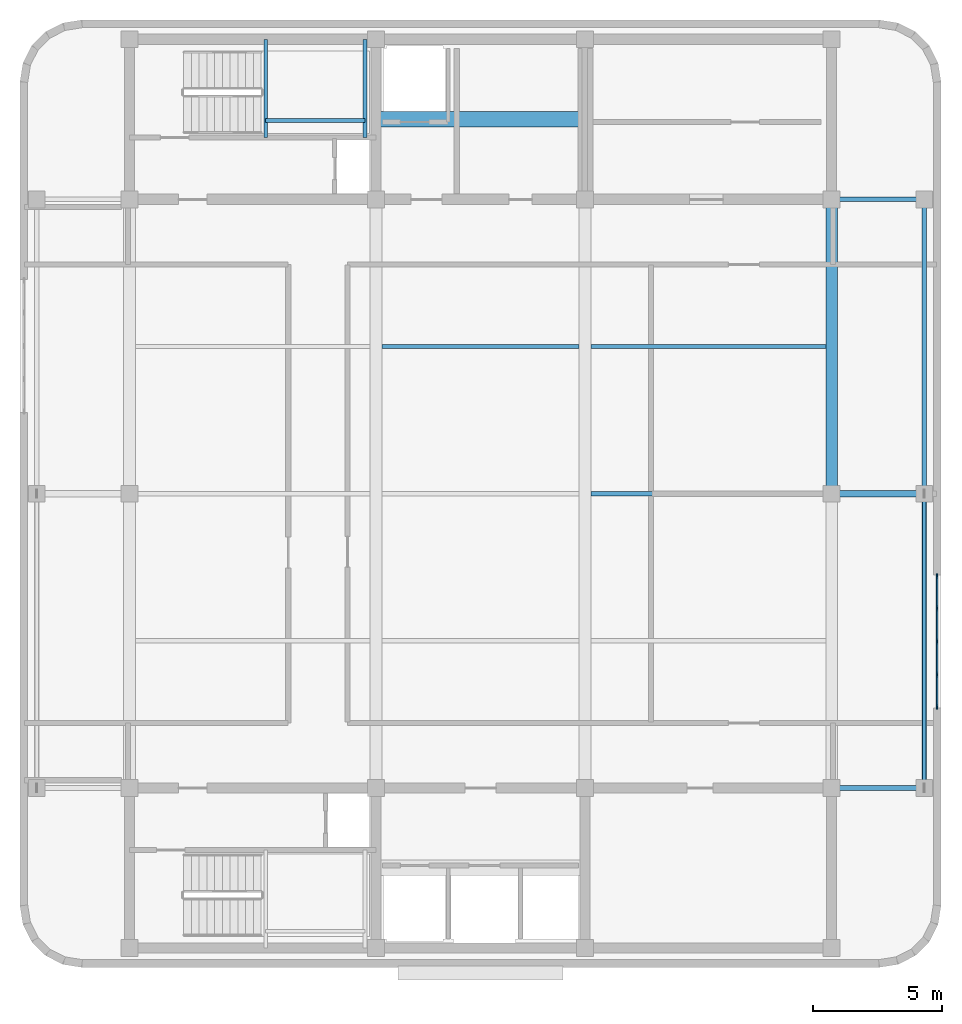
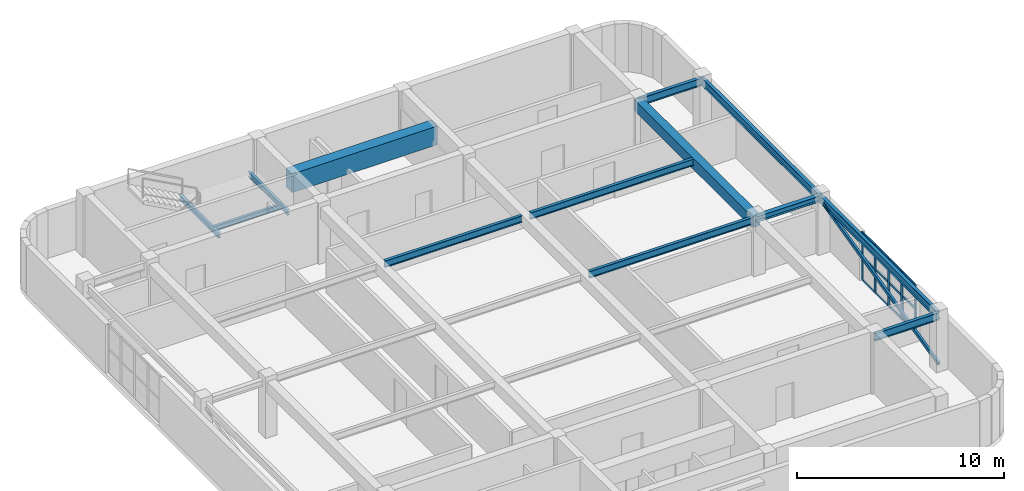
# One storey, part 3 of 9: 18 members, 13 beams, 1 element without a shape of its own.
"""IFC4 building model written with IfcOpenShell, lengths in metres."""

from ifc_helpers import new_model, si_unit, direction, frame, origin, origin_2d, place, context, subcontext, project, spatial, rectangle, hollow_rectangle, i_section, extrude, material, material_profile, profile_set, type_object, element, aggregate, save


model = new_model("IFC4")

# Units and contexts
model_context = context("Model", 3, precision=1e-05, world=origin(), true_north=direction((0.0, 1.0)))
body_context = subcontext(model_context, "Body", "Model", "MODEL_VIEW")
ifc_project = project(units=[si_unit("LENGTHUNIT", "METRE"), si_unit("AREAUNIT", "SQUARE_METRE"), si_unit("VOLUMEUNIT", "CUBIC_METRE"), si_unit("PLANEANGLEUNIT", "RADIAN"), si_unit("MASSUNIT", "GRAM", prefix="KILO")], contexts=[model_context])

# Site, building, storey
site_placement = place(None, origin())
site = spatial("IfcSite", under=ifc_project, at=site_placement, CompositionType="ELEMENT")
building_placement = place(site_placement, origin())
building = spatial("IfcBuilding", under=site, at=building_placement, Name="Svetorya Sky Lyceum", CompositionType="ELEMENT")
storey_placement = place(building_placement, frame((0.0, 0.0, 316.39990234375)))
storey = spatial("IfcBuildingStorey", under=building, at=storey_placement, Name="C05", CompositionType="ELEMENT", Elevation=316.39990234375)

# Beams
ifc_material_1 = material(Name="Concrete C60/75", Category="concrete")
ifc_material_profile_1 = material_profile(ifc_material_1, rectangle(XDim=0.60009765625, YDim=1.10009765625, at=origin_2d()), Name="RC COUPLING 600x1100")
ifc_profile_set_1 = profile_set([ifc_material_profile_1], Name="Concrete C60/75")
beam_type_1 = type_object("IfcBeamType", Name="BM-CPL-1100", PredefinedType="LINTEL", material=ifc_profile_set_1)
beam_1_placement = place(storey_placement, frame((35.14990234375, 42.699951171875, 2.77001953125), z_axis=(1.0, 0.0, 0.0), x_axis=(0.0, 1.0, 0.0)))
element("IfcBeam", 1, at=beam_1_placement, inside=storey, type_object=beam_type_1, Name="C05 NC Core Coupling Beam", PredefinedType="LINTEL", context=body_context, shape_type="SweptSolid", body=[
    extrude(rectangle(XDim=0.60009765625, YDim=1.10009765625, at=origin_2d()), origin(), (0.0, 0.0, 1.0), 8.10009765625),
])
ifc_material_2 = material(Name="Concrete C40/50", Category="concrete")
ifc_material_profile_2 = material_profile(ifc_material_2, rectangle(XDim=0.449951171875, YDim=0.64990234375, at=origin_2d()), Name="RC BEAM 450x650")
ifc_profile_set_2 = profile_set([ifc_material_profile_2], Name="Concrete C40/50")
beam_type_2 = type_object("IfcBeamType", Name="BM-RC-650", PredefinedType="BEAM", material=ifc_profile_set_2)
beam_2_placement = place(storey_placement, frame((52.800048828125, 28.199951171875, 2.9951171875), z_axis=(0.0, 1.0, 0.0), x_axis=(-1.0, 0.0, 0.0)))
element("IfcBeam", 2, at=beam_2_placement, inside=storey, type_object=beam_type_2, Name="C05 Central Bay Primary Girder CG-4B", PredefinedType="BEAM", context=body_context, shape_type="SweptSolid", body=[
    extrude(rectangle(XDim=0.449951171875, YDim=0.64990234375, at=origin_2d()), origin(), (0.0, 0.0, 1.0), 11.400146484375),
])
ifc_material_3 = material(Name="Steel S355", Category="steel")
ifc_material_profile_3 = material_profile(ifc_material_3, i_section(OverallWidth=0.14990234375, OverallDepth=0.299072265625, WebThickness=0.006591796875, FlangeThickness=0.010498046875, at=origin_2d()), Name="GOST 30B2")
ifc_profile_set_3 = profile_set([ifc_material_profile_3], Name="Steel S355")
beam_type_3 = type_object("IfcBeamType", Name="BM-STL-30B2", PredefinedType="JOIST", material=ifc_profile_set_3)
for number, where, z_axis, x_axis, name in (
    (3, (30.8798828125, 42.0, 1.45068359375), (0.0, 1.0, 0.0), (-1.0, 0.0, 0.0), "C05 Stair ST-N Half-Landing Support Beam 88.1"),
    (4, (34.719970703125, 42.0, 1.45068359375), (0.0, 1.0, 0.0), (-1.0, 0.0, 0.0), "C05 Stair ST-N Half-Landing Support Beam 88.2"),
):
    element("IfcBeam", number, at=place(storey_placement, frame(where, z_axis=z_axis, x_axis=x_axis)), inside=storey, type_object=beam_type_3, Name=name, PredefinedType="JOIST", context=body_context, shape_type="SweptSolid", body=[
        extrude(i_section(OverallWidth=0.14990234375, OverallDepth=0.299072265625, WebThickness=0.006591796875, FlangeThickness=0.010498046875, at=origin_2d()), origin(), (0.0, 0.0, 1.0), 3.800048828125),
    ])
beam_3_placement = place(storey_placement, frame((30.8798828125, 42.64990234375, 1.45068359375), z_axis=(1.0, 0.0, 0.0), x_axis=(0.0, 1.0, 0.0)))
element("IfcBeam", 5, at=beam_3_placement, inside=storey, type_object=beam_type_3, Name="C05 Stair ST-N Half-Landing Cross Tie 88", PredefinedType="JOIST", context=body_context, shape_type="SweptSolid", body=[
    extrude(i_section(OverallWidth=0.14990234375, OverallDepth=0.299072265625, WebThickness=0.006591796875, FlangeThickness=0.010498046875, at=origin_2d()), origin(), (0.0, 0.0, 1.0), 3.840087890625),
])
ifc_material_profile_4 = material_profile(ifc_material_3, i_section(OverallWidth=0.25, OverallDepth=0.345947265625, WebThickness=0.009521484375, FlangeThickness=0.014404296875, at=origin_2d()), Name="GOST 35Sh2")
ifc_profile_set_4 = profile_set([ifc_material_profile_4], Name="Steel S355")
beam_type_4 = type_object("IfcBeamType", Name="BM-STL-35SH2", PredefinedType="BEAM", material=ifc_profile_set_4)
beam_4_placement = place(storey_placement, frame((52.800048828125, 28.199951171875, 3.147216796875), z_axis=(1.0, 0.0, 0.0), x_axis=(0.0, 1.0, 0.0)))
element("IfcBeam", 6, at=beam_4_placement, inside=storey, type_object=beam_type_4, Name="C05 East Wing Floor Joist E2", PredefinedType="BEAM", context=body_context, shape_type="SweptSolid", body=[
    extrude(i_section(OverallWidth=0.25, OverallDepth=0.345947265625, WebThickness=0.009521484375, FlangeThickness=0.014404296875, at=origin_2d()), origin(), (0.0, 0.0, 1.0), 3.58984375),
])
ifc_material_profile_5 = material_profile(ifc_material_3, i_section(OverallWidth=0.1650390625, OverallDepth=0.39990234375, WebThickness=0.008056640625, FlangeThickness=0.012939453125, at=origin_2d()), Name="GOST 40B2")
ifc_profile_set_5 = profile_set([ifc_material_profile_5], Name="Steel S355")
beam_type_5 = type_object("IfcBeamType", Name="BM-STL-40B2", PredefinedType="JOIST", material=ifc_profile_set_5)
beam_5_placement = place(storey_placement, frame((43.47509765625, 28.199951171875, 3.1201171875), z_axis=(1.0, 0.0, 0.0), x_axis=(0.0, 1.0, 0.0)))
element("IfcBeam", 7, at=beam_5_placement, inside=storey, type_object=beam_type_5, Name="C05 Central Floor Joist CJ-2.3", PredefinedType="JOIST", context=body_context, shape_type="SweptSolid", body=[
    extrude(i_section(OverallWidth=0.1650390625, OverallDepth=0.39990234375, WebThickness=0.008056640625, FlangeThickness=0.012939453125, at=origin_2d()), origin(), (0.0, 0.0, 1.0), 9.099853515625),
])
beam_6_placement = place(storey_placement, frame((35.375, 33.89990234375, 3.1201171875), z_axis=(1.0, 0.0, 0.0), x_axis=(0.0, 1.0, 0.0)))
element("IfcBeam", 8, at=beam_6_placement, inside=storey, type_object=beam_type_5, Name="C05 Central Floor Joist CJ-3.2", PredefinedType="JOIST", context=body_context, shape_type="SweptSolid", body=[
    extrude(i_section(OverallWidth=0.1650390625, OverallDepth=0.39990234375, WebThickness=0.008056640625, FlangeThickness=0.012939453125, at=origin_2d()), origin(), (0.0, 0.0, 1.0), 7.64990234375),
])
beam_7_placement = place(storey_placement, frame((43.47509765625, 33.89990234375, 3.1201171875), z_axis=(1.0, 0.0, 0.0), x_axis=(0.0, 1.0, 0.0)))
element("IfcBeam", 9, at=beam_7_placement, inside=storey, type_object=beam_type_5, Name="C05 Central Floor Joist CJ-3.3", PredefinedType="JOIST", context=body_context, shape_type="SweptSolid", body=[
    extrude(i_section(OverallWidth=0.1650390625, OverallDepth=0.39990234375, WebThickness=0.008056640625, FlangeThickness=0.012939453125, at=origin_2d()), origin(), (0.0, 0.0, 1.0), 9.099853515625),
])
ifc_material_profile_6 = material_profile(ifc_material_3, i_section(OverallWidth=0.179931640625, OverallDepth=0.449951171875, WebThickness=0.009033203125, FlangeThickness=0.014404296875, at=origin_2d()), Name="GOST 45B2")
ifc_profile_set_6 = profile_set([ifc_material_profile_6], Name="Steel S355")
beam_type_6 = type_object("IfcBeamType", Name="BM-STL-45B2", PredefinedType="SPANDREL", material=ifc_profile_set_6)
for number, where, z_axis, x_axis, name in (
    (10, (52.800048828125, 16.800048828125, 3.09521484375), (1.0, 0.0, 0.0), (0.0, 1.0, 0.0), "C05 Tie Spandrel SE"),
    (11, (52.800048828125, 39.60009765625, 3.09521484375), (1.0, 0.0, 0.0), (0.0, 1.0, 0.0), "C05 Tie Spandrel NE"),
):
    element("IfcBeam", number, at=place(storey_placement, frame(where, z_axis=z_axis, x_axis=x_axis)), inside=storey, type_object=beam_type_6, Name=name, PredefinedType="SPANDREL", context=body_context, shape_type="SweptSolid", body=[
        extrude(i_section(OverallWidth=0.179931640625, OverallDepth=0.449951171875, WebThickness=0.009033203125, FlangeThickness=0.014404296875, at=origin_2d()), origin(), (0.0, 0.0, 1.0), 3.58984375),
    ])
beam_8_placement = place(storey_placement, frame((56.389892578125, 16.800048828125, 3.09521484375), z_axis=(0.0, 1.0, 0.0), x_axis=(-1.0, 0.0, 0.0)))
element("IfcBeam", 12, at=beam_8_placement, inside=storey, type_object=beam_type_6, Name="C05 East Spandrel 1", PredefinedType="SPANDREL", context=body_context, shape_type="SweptSolid", body=[
    extrude(i_section(OverallWidth=0.179931640625, OverallDepth=0.449951171875, WebThickness=0.009033203125, FlangeThickness=0.014404296875, at=origin_2d()), origin(), (0.0, 0.0, 1.0), 11.39990234375),
])
beam_9_placement = place(storey_placement, frame((56.389892578125, 28.199951171875, 3.09521484375), z_axis=(0.0, 1.0, 0.0), x_axis=(-1.0, 0.0, 0.0)))
element("IfcBeam", 13, at=beam_9_placement, inside=storey, type_object=beam_type_6, Name="C05 East Spandrel 2", PredefinedType="SPANDREL", context=body_context, shape_type="SweptSolid", body=[
    extrude(i_section(OverallWidth=0.179931640625, OverallDepth=0.449951171875, WebThickness=0.009033203125, FlangeThickness=0.014404296875, at=origin_2d()), origin(), (0.0, 0.0, 1.0), 11.400146484375),
])

# Curtain wall, members
ifc_material_4 = material(Name="Thermally broken anodized aluminium and triple low-E glass", Category="aluminium")
curtain_wall_type = type_object("IfcCurtainWallType", Name="CW5-LVR-PLT", PredefinedType="NOTDEFINED", material=ifc_material_4)
curtain_wall_placement = place(storey_placement, origin())
curtain_wall = element("IfcCurtainWall", 14, at=curtain_wall_placement, inside=storey, type_object=curtain_wall_type, Name="C05 Acoustic Plant Louvre Curtain Wall 12", PredefinedType="NOTDEFINED")
ifc_material_5 = material(Name="Thermally broken anodized aluminium EN AW-6060", Category="aluminium")
ifc_material_profile_7 = material_profile(ifc_material_5, rectangle(XDim=0.06494140625, YDim=0.179931640625, at=origin_2d()), Name="ALU MULLION 65x180")
ifc_profile_set_7 = profile_set([ifc_material_profile_7], Name="Thermally broken anodized aluminium EN AW-6060")
member_type_1 = type_object("IfcMemberType", Name="CWM-MUL-180", PredefinedType="MULLION", material=ifc_profile_set_7)
member_1_placement = place(storey_placement, frame((56.889892578125, 19.9326171875, 0.0), z_axis=(0.0, 0.0, 1.0), x_axis=(-1.0, 0.0, 0.0)))
member_1 = element("IfcMember", 15, at=member_1_placement, type_object=member_type_1, Name="CW-5 mullion 1", PredefinedType="MULLION", context=body_context, shape_type="SweptSolid", body=[
    extrude(rectangle(XDim=0.06494140625, YDim=0.179931640625, at=origin_2d()), origin(), (0.0, 0.0, 1.0), 2.840087890625),
])
member_2_placement = place(storey_placement, frame((56.889892578125, 21.1875, 0.0), z_axis=(0.0, 0.0, 1.0), x_axis=(-1.0, 0.0, 0.0)))
member_2 = element("IfcMember", 16, at=member_2_placement, type_object=member_type_1, Name="CW-5 mullion 2", PredefinedType="MULLION", context=body_context, shape_type="SweptSolid", body=[
    extrude(rectangle(XDim=0.06494140625, YDim=0.179931640625, at=origin_2d()), origin(), (0.0, 0.0, 1.0), 2.840087890625),
])
member_3_placement = place(storey_placement, frame((56.889892578125, 22.47509765625, 0.0), z_axis=(0.0, 0.0, 1.0), x_axis=(-1.0, 0.0, 0.0)))
member_3 = element("IfcMember", 17, at=member_3_placement, type_object=member_type_1, Name="CW-5 mullion 3", PredefinedType="MULLION", context=body_context, shape_type="SweptSolid", body=[
    extrude(rectangle(XDim=0.06494140625, YDim=0.179931640625, at=origin_2d()), origin(), (0.0, 0.0, 1.0), 2.840087890625),
])
member_4_placement = place(storey_placement, frame((56.889892578125, 23.762451171875, 0.0), z_axis=(0.0, 0.0, 1.0), x_axis=(-1.0, 0.0, 0.0)))
member_4 = element("IfcMember", 18, at=member_4_placement, type_object=member_type_1, Name="CW-5 mullion 4", PredefinedType="MULLION", context=body_context, shape_type="SweptSolid", body=[
    extrude(rectangle(XDim=0.06494140625, YDim=0.179931640625, at=origin_2d()), origin(), (0.0, 0.0, 1.0), 2.840087890625),
])
member_5_placement = place(storey_placement, frame((56.889892578125, 25.017578125, 0.0), z_axis=(0.0, 0.0, 1.0), x_axis=(-1.0, 0.0, 0.0)))
member_5 = element("IfcMember", 19, at=member_5_placement, type_object=member_type_1, Name="CW-5 mullion 5", PredefinedType="MULLION", context=body_context, shape_type="SweptSolid", body=[
    extrude(rectangle(XDim=0.06494140625, YDim=0.179931640625, at=origin_2d()), origin(), (0.0, 0.0, 1.0), 2.840087890625),
])
ifc_material_profile_8 = material_profile(ifc_material_5, rectangle(XDim=0.06494140625, YDim=0.139892578125, at=origin_2d()), Name="ALU TRANSOM 65x140")
ifc_profile_set_8 = profile_set([ifc_material_profile_8], Name="Thermally broken anodized aluminium EN AW-6060")
member_type_2 = type_object("IfcMemberType", Name="CWM-TRN-140", PredefinedType="USERDEFINED", material=ifc_profile_set_8)
member_6_placement = place(storey_placement, frame((56.889892578125, 19.96337890625, 0.03271484375), z_axis=(0.0, 1.0, 0.0), x_axis=(-1.0, 0.0, 0.0)))
member_6 = element("IfcMember", 20, at=member_6_placement, type_object=member_type_2, Name="CW-5 transom 1.1", ObjectType="TRANSOM", PredefinedType="USERDEFINED", context=body_context, shape_type="SweptSolid", body=[
    extrude(rectangle(XDim=0.06494140625, YDim=0.139892578125, at=origin_2d()), origin(), (0.0, 0.0, 1.0), 1.193115234375),
])
member_7_placement = place(storey_placement, frame((56.889892578125, 19.96337890625, 1.420166015625), z_axis=(0.0, 1.0, 0.0), x_axis=(-1.0, 0.0, 0.0)))
member_7 = element("IfcMember", 21, at=member_7_placement, type_object=member_type_2, Name="CW-5 transom 1.2", ObjectType="TRANSOM", PredefinedType="USERDEFINED", context=body_context, shape_type="SweptSolid", body=[
    extrude(rectangle(XDim=0.06494140625, YDim=0.139892578125, at=origin_2d()), origin(), (0.0, 0.0, 1.0), 1.193115234375),
])
member_8_placement = place(storey_placement, frame((56.889892578125, 19.96337890625, 2.8076171875), z_axis=(0.0, 1.0, 0.0), x_axis=(-1.0, 0.0, 0.0)))
member_8 = element("IfcMember", 22, at=member_8_placement, type_object=member_type_2, Name="CW-5 transom 1.3", ObjectType="TRANSOM", PredefinedType="USERDEFINED", context=body_context, shape_type="SweptSolid", body=[
    extrude(rectangle(XDim=0.06494140625, YDim=0.139892578125, at=origin_2d()), origin(), (0.0, 0.0, 1.0), 1.193115234375),
])
member_9_placement = place(storey_placement, frame((56.889892578125, 21.218505859375, 0.03271484375), z_axis=(0.0, 1.0, 0.0), x_axis=(-1.0, 0.0, 0.0)))
member_9 = element("IfcMember", 23, at=member_9_placement, type_object=member_type_2, Name="CW-5 transom 2.1", ObjectType="TRANSOM", PredefinedType="USERDEFINED", context=body_context, shape_type="SweptSolid", body=[
    extrude(rectangle(XDim=0.06494140625, YDim=0.139892578125, at=origin_2d()), origin(), (0.0, 0.0, 1.0), 1.2255859375),
])
member_10_placement = place(storey_placement, frame((56.889892578125, 21.218505859375, 1.420166015625), z_axis=(0.0, 1.0, 0.0), x_axis=(-1.0, 0.0, 0.0)))
member_10 = element("IfcMember", 24, at=member_10_placement, type_object=member_type_2, Name="CW-5 transom 2.2", ObjectType="TRANSOM", PredefinedType="USERDEFINED", context=body_context, shape_type="SweptSolid", body=[
    extrude(rectangle(XDim=0.06494140625, YDim=0.139892578125, at=origin_2d()), origin(), (0.0, 0.0, 1.0), 1.2255859375),
])
member_11_placement = place(storey_placement, frame((56.889892578125, 21.218505859375, 2.8076171875), z_axis=(0.0, 1.0, 0.0), x_axis=(-1.0, 0.0, 0.0)))
member_11 = element("IfcMember", 25, at=member_11_placement, type_object=member_type_2, Name="CW-5 transom 2.3", ObjectType="TRANSOM", PredefinedType="USERDEFINED", context=body_context, shape_type="SweptSolid", body=[
    extrude(rectangle(XDim=0.06494140625, YDim=0.139892578125, at=origin_2d()), origin(), (0.0, 0.0, 1.0), 1.2255859375),
])
member_12_placement = place(storey_placement, frame((56.889892578125, 22.506103515625, 0.03271484375), z_axis=(0.0, 1.0, 0.0), x_axis=(-1.0, 0.0, 0.0)))
member_12 = element("IfcMember", 26, at=member_12_placement, type_object=member_type_2, Name="CW-5 transom 3.1", ObjectType="TRANSOM", PredefinedType="USERDEFINED", context=body_context, shape_type="SweptSolid", body=[
    extrude(rectangle(XDim=0.06494140625, YDim=0.139892578125, at=origin_2d()), origin(), (0.0, 0.0, 1.0), 1.225341796875),
])
member_13_placement = place(storey_placement, frame((56.889892578125, 22.506103515625, 1.420166015625), z_axis=(0.0, 1.0, 0.0), x_axis=(-1.0, 0.0, 0.0)))
member_13 = element("IfcMember", 27, at=member_13_placement, type_object=member_type_2, Name="CW-5 transom 3.2", ObjectType="TRANSOM", PredefinedType="USERDEFINED", context=body_context, shape_type="SweptSolid", body=[
    extrude(rectangle(XDim=0.06494140625, YDim=0.139892578125, at=origin_2d()), origin(), (0.0, 0.0, 1.0), 1.225341796875),
])
member_14_placement = place(storey_placement, frame((56.889892578125, 22.506103515625, 2.8076171875), z_axis=(0.0, 1.0, 0.0), x_axis=(-1.0, 0.0, 0.0)))
member_14 = element("IfcMember", 28, at=member_14_placement, type_object=member_type_2, Name="CW-5 transom 3.3", ObjectType="TRANSOM", PredefinedType="USERDEFINED", context=body_context, shape_type="SweptSolid", body=[
    extrude(rectangle(XDim=0.06494140625, YDim=0.139892578125, at=origin_2d()), origin(), (0.0, 0.0, 1.0), 1.225341796875),
])
member_15_placement = place(storey_placement, frame((56.889892578125, 23.79345703125, 0.03271484375), z_axis=(0.0, 1.0, 0.0), x_axis=(-1.0, 0.0, 0.0)))
member_15 = element("IfcMember", 29, at=member_15_placement, type_object=member_type_2, Name="CW-5 transom 4.1", ObjectType="TRANSOM", PredefinedType="USERDEFINED", context=body_context, shape_type="SweptSolid", body=[
    extrude(rectangle(XDim=0.06494140625, YDim=0.139892578125, at=origin_2d()), origin(), (0.0, 0.0, 1.0), 1.193115234375),
])
member_16_placement = place(storey_placement, frame((56.889892578125, 23.79345703125, 1.420166015625), z_axis=(0.0, 1.0, 0.0), x_axis=(-1.0, 0.0, 0.0)))
member_16 = element("IfcMember", 30, at=member_16_placement, type_object=member_type_2, Name="CW-5 transom 4.2", ObjectType="TRANSOM", PredefinedType="USERDEFINED", context=body_context, shape_type="SweptSolid", body=[
    extrude(rectangle(XDim=0.06494140625, YDim=0.139892578125, at=origin_2d()), origin(), (0.0, 0.0, 1.0), 1.193115234375),
])
member_17_placement = place(storey_placement, frame((56.889892578125, 23.79345703125, 2.8076171875), z_axis=(0.0, 1.0, 0.0), x_axis=(-1.0, 0.0, 0.0)))
member_17 = element("IfcMember", 31, at=member_17_placement, type_object=member_type_2, Name="CW-5 transom 4.3", ObjectType="TRANSOM", PredefinedType="USERDEFINED", context=body_context, shape_type="SweptSolid", body=[
    extrude(rectangle(XDim=0.06494140625, YDim=0.139892578125, at=origin_2d()), origin(), (0.0, 0.0, 1.0), 1.193115234375),
])
aggregate(curtain_wall, [member_1, member_2, member_3, member_4, member_5, member_6, member_7, member_8, member_9, member_10, member_11, member_12, member_13, member_14, member_15, member_16, member_17])

# Member
ifc_material_profile_9 = material_profile(ifc_material_3, hollow_rectangle(XDim=0.1201171875, YDim=0.199951171875, WallThickness=0.008056640625, at=origin_2d()), Name="RHS 200x120x8")
ifc_profile_set_9 = profile_set([ifc_material_profile_9], Name="Steel S355")
member_type_3 = type_object("IfcMemberType", Name="MB-STR-RHS200", PredefinedType="STRUT", material=ifc_profile_set_9)
member_18_placement = place(storey_placement, frame((56.389892578125, 16.800048828125, 0.25), z_axis=(0.0, 0.971724925391, 0.236115796537), x_axis=(-1.0, 0.0, 0.0)))
element("IfcMember", 32, at=member_18_placement, inside=storey, type_object=member_type_3, Name="C05 Crown Perimeter Frame Brace E", PredefinedType="STRUT", context=body_context, shape_type="SweptSolid", body=[
    extrude(hollow_rectangle(XDim=0.1201171875, YDim=0.199951171875, WallThickness=0.008056640625, at=origin_2d()), origin(), (0.0, 0.0, 1.0), 11.731689453125),
])

save(model, "model.ifc")
